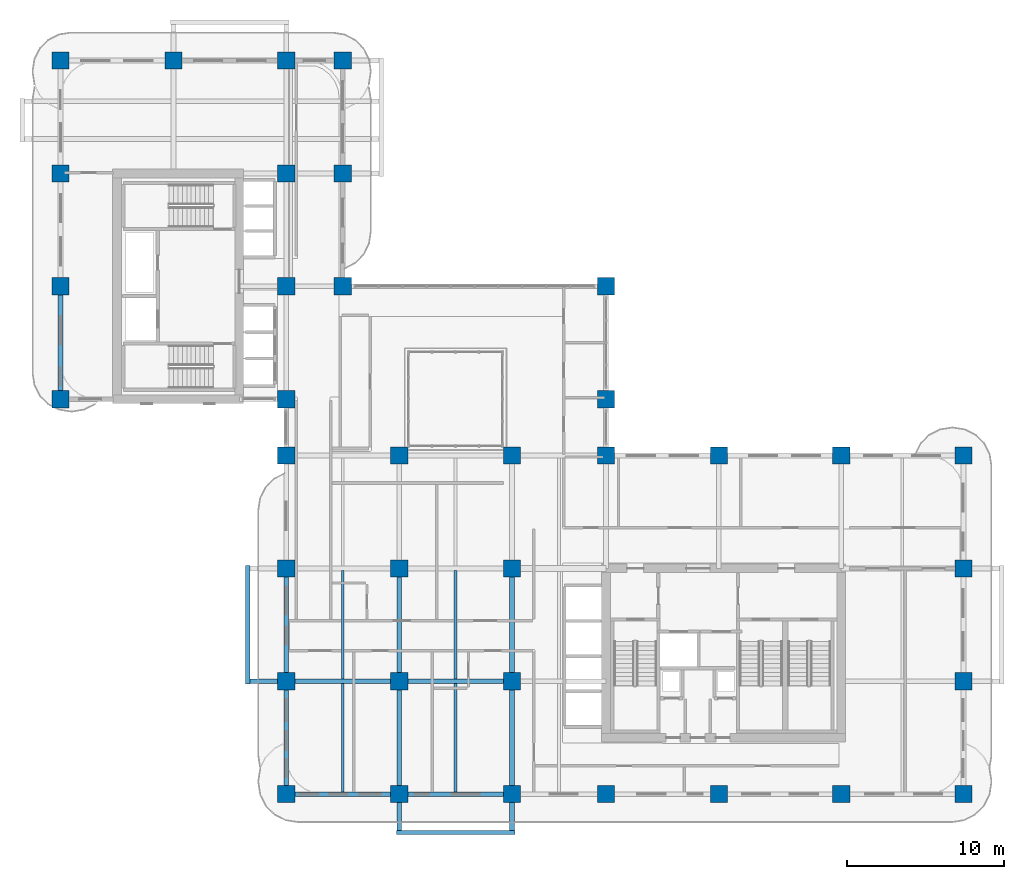
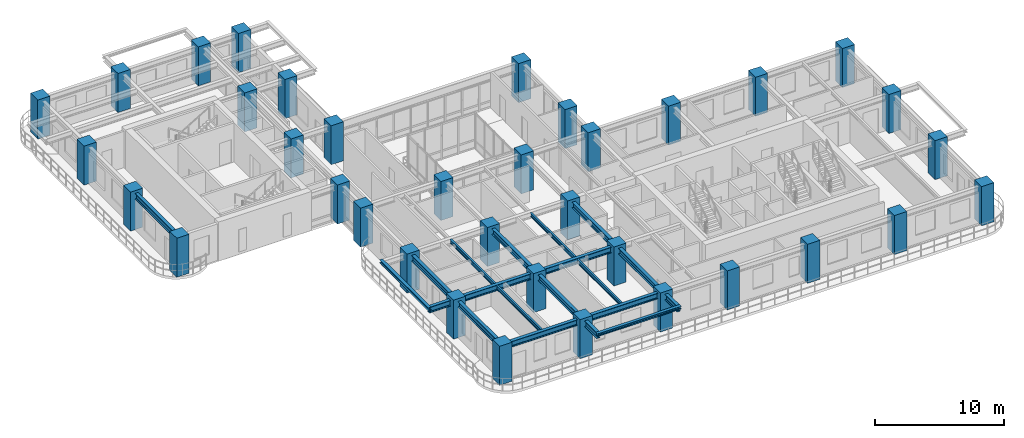
# One storey, part 1 of 22: 36 columns, 17 beams.
"""IFC4 building model written with IfcOpenShell, lengths in metres."""

from ifc_helpers import new_model, si_unit, derived_unit, direction, frame, origin, origin_2d, place, context, subcontext, project, spatial, rectangle, i_section, extrude, source, transform, mapped, material, material_profile, profile_set, type_object, type_shapes, element, save


model = new_model("IFC4")

# Units and contexts
model_context = context("Model", 3, precision=1e-05, world=origin(), true_north=direction((0.0, 1.0)))
body_context = subcontext(model_context, "Body", "Model", "MODEL_VIEW")
ifc_project = project(units=[si_unit("LENGTHUNIT", "METRE"), si_unit("AREAUNIT", "SQUARE_METRE"), si_unit("VOLUMEUNIT", "CUBIC_METRE"), si_unit("PLANEANGLEUNIT", "RADIAN"), si_unit("MASSUNIT", "GRAM", prefix="KILO"), si_unit("THERMODYNAMICTEMPERATUREUNIT", "KELVIN"), si_unit("POWERUNIT", "WATT"), derived_unit("THERMALTRANSMITTANCEUNIT", [(si_unit("POWERUNIT", "WATT"), 1), (si_unit("AREAUNIT", "SQUARE_METRE"), -1), (si_unit("THERMODYNAMICTEMPERATUREUNIT", "KELVIN"), -1)])], contexts=[model_context])

# Site, building, storey
site_placement = place(None, origin())
site = spatial("IfcSite", under=ifc_project, at=site_placement, CompositionType="ELEMENT")
building_placement = place(site_placement, origin())
building = spatial("IfcBuilding", under=site, at=building_placement, Name="Zahravan Archway Hotel and Residences", CompositionType="ELEMENT")
storey_placement = place(building_placement, frame((0.0, 0.0, 95.300048828125)))
storey = spatial("IfcBuildingStorey", under=building, at=storey_placement, Name="L23", CompositionType="ELEMENT", Elevation=95.300048828125)

# Columns
ifc_material_1 = material(Name="Concrete C70/85", Category="concrete")
ifc_material_profile_1 = material_profile(ifc_material_1, rectangle(XDim=1.10009765625, YDim=1.10009765625, at=origin_2d()), Name="RC 1100x1100", Category="concrete")
ifc_profile_set_1 = profile_set([ifc_material_profile_1], Name="Concrete C70/85")
column_type = type_object("IfcColumnType", Name="COL-RC-1100", PredefinedType="COLUMN", material=ifc_profile_set_1)
shared_shape_1 = source(origin(), body_context, "Body", "SweptSolid", [
    extrude(rectangle(XDim=1.10009765625, YDim=1.10009765625, at=origin_2d()), origin(), (0.0, 0.0, 1.0), 3.699951171875),
])
for number, where, z_axis, x_axis, name in (
    (1, (0.0, 25.199951171875, 0.0), (0.0, 0.0, 1.0), (1.0, 0.0, 0.0), "L23 Column 1-E"),
    (2, (0.0, 32.39990234375, 0.0), (0.0, 0.0, 1.0), (1.0, 0.0, 0.0), "L23 Column 1-F"),
    (3, (0.0, 39.60009765625, 0.0), (0.0, 0.0, 1.0), (1.0, 0.0, 0.0), "L23 Column 1-G"),
    (4, (0.0, 46.800048828125, 0.0), (0.0, 0.0, 1.0), (1.0, 0.0, 0.0), "L23 Column 1-H"),
    (5, (7.199951171875, 46.800048828125, 0.0), (0.0, 0.0, 1.0), (1.0, 0.0, 0.0), "L23 Column 2-H"),
    (6, (14.39990234375, 0.0, 0.0), (0.0, 0.0, 1.0), (1.0, 0.0, 0.0), "L23 Column 3-A"),
    (7, (14.39990234375, 7.199951171875, 0.0), (0.0, 0.0, 1.0), (1.0, 0.0, 0.0), "L23 Column 3-B"),
    (8, (14.39990234375, 14.39990234375, 0.0), (0.0, 0.0, 1.0), (1.0, 0.0, 0.0), "L23 Column 3-C"),
    (9, (14.39990234375, 21.60009765625, 0.0), (0.0, 0.0, 1.0), (1.0, 0.0, 0.0), "L23 Column 3-D"),
    (10, (14.39990234375, 25.199951171875, 0.0), (0.0, 0.0, 1.0), (1.0, 0.0, 0.0), "L23 Column 3-E"),
    (11, (14.39990234375, 32.39990234375, 0.0), (0.0, 0.0, 1.0), (1.0, 0.0, 0.0), "L23 Column 3-F"),
    (12, (14.39990234375, 39.60009765625, 0.0), (0.0, 0.0, 1.0), (1.0, 0.0, 0.0), "L23 Column 3-G"),
    (13, (14.39990234375, 46.800048828125, 0.0), (0.0, 0.0, 1.0), (1.0, 0.0, 0.0), "L23 Column 3-H"),
    (14, (21.60009765625, 0.0, 0.0), (0.0, 0.0, 1.0), (1.0, 0.0, 0.0), "L23 Column 4-A"),
    (15, (21.60009765625, 7.199951171875, 0.0), (0.0, 0.0, 1.0), (1.0, 0.0, 0.0), "L23 Column 4-B"),
    (16, (21.60009765625, 14.39990234375, 0.0), (0.0, 0.0, 1.0), (1.0, 0.0, 0.0), "L23 Column 4-C"),
    (17, (21.60009765625, 21.60009765625, 0.0), (0.0, 0.0, 1.0), (1.0, 0.0, 0.0), "L23 Column 4-D"),
    (18, (28.800048828125, 0.0, 0.0), (0.0, 0.0, 1.0), (1.0, 0.0, 0.0), "L23 Column 5-A"),
    (19, (28.800048828125, 7.199951171875, 0.0), (0.0, 0.0, 1.0), (1.0, 0.0, 0.0), "L23 Column 5-B"),
    (20, (28.800048828125, 14.39990234375, 0.0), (0.0, 0.0, 1.0), (1.0, 0.0, 0.0), "L23 Column 5-C"),
    (21, (28.800048828125, 21.60009765625, 0.0), (0.0, 0.0, 1.0), (1.0, 0.0, 0.0), "L23 Column 5-D"),
    (22, (34.800048828125, 0.0, 0.0), (0.0, 0.0, 1.0), (1.0, 0.0, 0.0), "L23 Column 6-A"),
    (23, (34.800048828125, 21.60009765625, 0.0), (0.0, 0.0, 1.0), (1.0, 0.0, 0.0), "L23 Column 6-D"),
    (24, (34.800048828125, 25.199951171875, 0.0), (0.0, 0.0, 1.0), (1.0, 0.0, 0.0), "L23 Column 6-E"),
    (25, (34.800048828125, 32.39990234375, 0.0), (0.0, 0.0, 1.0), (1.0, 0.0, 0.0), "L23 Column 6-F"),
    (26, (42.0, 0.0, 0.0), (0.0, 0.0, 1.0), (1.0, 0.0, 0.0), "L23 Column 7-A"),
    (27, (42.0, 21.60009765625, 0.0), (0.0, 0.0, 1.0), (1.0, 0.0, 0.0), "L23 Column 7-D"),
    (28, (49.800048828125, 0.0, 0.0), (0.0, 0.0, 1.0), (1.0, 0.0, 0.0), "L23 Column 8-A"),
    (29, (49.800048828125, 21.60009765625, 0.0), (0.0, 0.0, 1.0), (1.0, 0.0, 0.0), "L23 Column 8-D"),
    (30, (57.60009765625, 0.0, 0.0), (0.0, 0.0, 1.0), (1.0, 0.0, 0.0), "L23 Column 9-A"),
    (31, (57.60009765625, 7.199951171875, 0.0), (0.0, 0.0, 1.0), (1.0, 0.0, 0.0), "L23 Column 9-B"),
    (32, (57.60009765625, 14.39990234375, 0.0), (0.0, 0.0, 1.0), (1.0, 0.0, 0.0), "L23 Column 9-C"),
    (33, (57.60009765625, 21.60009765625, 0.0), (0.0, 0.0, 1.0), (1.0, 0.0, 0.0), "L23 Column 9-D"),
    (34, (18.0, 32.39990234375, 0.0), (0.0, 0.0, 1.0), (1.0, 0.0, 0.0), "L23 Column 3B-F"),
    (35, (18.0, 39.60009765625, 0.0), (0.0, 0.0, 1.0), (1.0, 0.0, 0.0), "L23 Column 3B-G"),
    (36, (18.0, 46.800048828125, 0.0), (0.0, 0.0, 1.0), (1.0, 0.0, 0.0), "L23 Column 3B-H"),
):
    element("IfcColumn", number, at=place(storey_placement, frame(where, z_axis=z_axis, x_axis=x_axis)), inside=storey, type_object=column_type, Name=name, PredefinedType="COLUMN", context=body_context, shape_type="MappedRepresentation", body=[
        mapped(shared_shape_1, transform((0.0, 0.0, 0.0), scale=1.0)),
    ])

# Beams
ifc_material_2 = material(Name="Structural Steel S355JR", Category="steel")
ifc_material_profile_2 = material_profile(ifc_material_2, i_section(OverallWidth=0.280029296875, OverallDepth=0.280029296875, WebThickness=0.010498046875, FlangeThickness=0.01806640625, FilletRadius=0.02392578125, at=origin_2d()), Name="HEB 280", Category="steel")
ifc_profile_set_2 = profile_set([ifc_material_profile_2], Name="Structural Steel S355JR")
beam_type_1 = type_object("IfcBeamType", Name="BM-SPN-HEB280", PredefinedType="SPANDREL", material=ifc_profile_set_2)
shared_shape_2 = source(origin(), body_context, "Body", "SweptSolid", [
    extrude(i_section(OverallWidth=0.280029296875, OverallDepth=0.280029296875, WebThickness=0.010498046875, FlangeThickness=0.01806640625, FilletRadius=0.02392578125, at=origin_2d()), origin(), (0.0, 0.0, 1.0), 7.56005859375),
])
type_shapes(beam_type_1, [shared_shape_2])
for number, where, z_axis, x_axis, name in (
    (37, (11.949951171875, 7.02001953125, 3.31005859375), (0.0, 1.0, 0.0), (-1.0, 0.0, 0.0), "L24 WA Balcony Edge Spandrel"),
    (38, (21.419921875, -2.449951171875, 3.31005859375), (1.0, 0.0, 0.0), (0.0, 1.0, 0.0), "L24 SA Balcony Edge Spandrel"),
):
    element("IfcBeam", number, at=place(storey_placement, frame(where, z_axis=z_axis, x_axis=x_axis)), inside=storey, type_object=beam_type_1, Name=name, PredefinedType="SPANDREL", context=body_context, shape_type="MappedRepresentation", body=[
        mapped(shared_shape_2, transform((0.0, 0.0, 0.0), scale=1.0)),
    ])
ifc_material_profile_3 = material_profile(ifc_material_2, i_section(OverallWidth=0.300048828125, OverallDepth=0.550048828125, WebThickness=0.014892578125, FlangeThickness=0.029052734375, FilletRadius=0.027099609375, at=origin_2d()), Name="HEB 550", Category="steel")
ifc_profile_set_3 = profile_set([ifc_material_profile_3], Name="Structural Steel S355JR")
beam_type_2 = type_object("IfcBeamType", Name="BM-PRI-HEB550", PredefinedType="BEAM", material=ifc_profile_set_3)
shared_shape_3 = source(origin(), body_context, "Body", "SweptSolid", [
    extrude(i_section(OverallWidth=0.300048828125, OverallDepth=0.550048828125, WebThickness=0.014892578125, FlangeThickness=0.029052734375, FilletRadius=0.027099609375, at=origin_2d()), origin(), (0.0, 0.0, 1.0), 7.2001953125),
])
type_shapes(beam_type_2, [shared_shape_3])
beam_1_placement = place(storey_placement, frame((14.39990234375, 0.0, 3.175048828125), z_axis=(1.0, 0.0, 0.0), x_axis=(0.0, 1.0, 0.0)))
element("IfcBeam", 39, at=beam_1_placement, inside=storey, type_object=beam_type_2, Name="L23 Primary Girder EW-01", PredefinedType="BEAM", context=body_context, shape_type="MappedRepresentation", body=[
    mapped(shared_shape_3, transform((0.0, 0.0, 0.0), scale=1.0)),
])
shared_shape_4 = source(origin(), body_context, "Body", "SweptSolid", [
    extrude(i_section(OverallWidth=0.300048828125, OverallDepth=0.550048828125, WebThickness=0.014892578125, FlangeThickness=0.029052734375, FilletRadius=0.027099609375, at=origin_2d()), origin(), (0.0, 0.0, 1.0), 7.199951171875),
])
for number, where, z_axis, x_axis, name in (
    (40, (21.60009765625, 0.0, 3.175048828125), (1.0, 0.0, 0.0), (0.0, 1.0, 0.0), "L23 Primary Girder EW-02"),
    (41, (21.60009765625, 7.199951171875, 3.175048828125), (1.0, 0.0, 0.0), (0.0, 1.0, 0.0), "L23 Primary Girder EW-08"),
    (42, (0.0, 25.199951171875, 3.175048828125), (0.0, 1.0, 0.0), (-1.0, 0.0, 0.0), "L23 Primary Girder NS-28"),
    (43, (14.39990234375, 0.0, 3.175048828125), (0.0, 1.0, 0.0), (-1.0, 0.0, 0.0), "L23 Primary Girder NS-32"),
    (44, (14.39990234375, 7.199951171875, 3.175048828125), (0.0, 1.0, 0.0), (-1.0, 0.0, 0.0), "L23 Primary Girder NS-33"),
    (45, (21.60009765625, 7.199951171875, 3.175048828125), (0.0, 1.0, 0.0), (-1.0, 0.0, 0.0), "L23 Primary Girder NS-40"),
    (46, (28.800048828125, 7.199951171875, 3.175048828125), (0.0, 1.0, 0.0), (-1.0, 0.0, 0.0), "L23 Primary Girder NS-43"),
):
    element("IfcBeam", number, at=place(storey_placement, frame(where, z_axis=z_axis, x_axis=x_axis)), inside=storey, type_object=beam_type_2, Name=name, PredefinedType="BEAM", context=body_context, shape_type="MappedRepresentation", body=[
        mapped(shared_shape_4, transform((0.0, 0.0, 0.0), scale=1.0)),
    ])
shared_shape_5 = source(origin(), body_context, "Body", "SweptSolid", [
    extrude(i_section(OverallWidth=0.300048828125, OverallDepth=0.550048828125, WebThickness=0.014892578125, FlangeThickness=0.029052734375, FilletRadius=0.027099609375, at=origin_2d()), origin(), (0.0, 0.0, 1.0), 9.650146484375),
])
beam_2_placement = place(storey_placement, frame((11.949951171875, 7.199951171875, 3.175048828125), z_axis=(1.0, 0.0, 0.0), x_axis=(0.0, 1.0, 0.0)))
element("IfcBeam", 47, at=beam_2_placement, inside=storey, type_object=beam_type_2, Name="L23 Primary Girder EW-07", PredefinedType="BEAM", context=body_context, shape_type="MappedRepresentation", body=[
    mapped(shared_shape_5, transform((0.0, 0.0, 0.0), scale=1.0)),
])
shared_shape_6 = source(origin(), body_context, "Body", "SweptSolid", [
    extrude(i_section(OverallWidth=0.300048828125, OverallDepth=0.550048828125, WebThickness=0.014892578125, FlangeThickness=0.029052734375, FilletRadius=0.027099609375, at=origin_2d()), origin(), (0.0, 0.0, 1.0), 9.64990234375),
])
for number, where, z_axis, x_axis, name in (
    (48, (21.60009765625, -2.449951171875, 3.175048828125), (0.0, 1.0, 0.0), (-1.0, 0.0, 0.0), "L23 Primary Girder NS-39"),
    (49, (28.800048828125, -2.449951171875, 3.175048828125), (0.0, 1.0, 0.0), (-1.0, 0.0, 0.0), "L23 Primary Girder NS-42"),
):
    element("IfcBeam", number, at=place(storey_placement, frame(where, z_axis=z_axis, x_axis=x_axis)), inside=storey, type_object=beam_type_2, Name=name, PredefinedType="BEAM", context=body_context, shape_type="MappedRepresentation", body=[
        mapped(shared_shape_6, transform((0.0, 0.0, 0.0), scale=1.0)),
    ])
ifc_material_profile_4 = material_profile(ifc_material_2, i_section(OverallWidth=0.169921875, OverallDepth=0.360107421875, WebThickness=0.008056640625, FlangeThickness=0.0126953125, FilletRadius=0.01806640625, at=origin_2d()), Name="IPE 360", Category="steel")
ifc_profile_set_4 = profile_set([ifc_material_profile_4], Name="Structural Steel S355JR")
beam_type_3 = type_object("IfcBeamType", Name="BM-JST-IPE360", PredefinedType="JOIST", material=ifc_profile_set_4)
shared_shape_7 = source(origin(), body_context, "Body", "SweptSolid", [
    extrude(i_section(OverallWidth=0.169921875, OverallDepth=0.360107421875, WebThickness=0.008056640625, FlangeThickness=0.0126953125, FilletRadius=0.01806640625, at=origin_2d()), origin(), (0.0, 0.0, 1.0), 6.904052734375),
])
type_shapes(beam_type_3, [shared_shape_7])
for number, where, z_axis, x_axis, name in (
    (50, (18.0, 0.14794921875, 3.27001953125), (0.0, 1.0, 0.0), (-1.0, 0.0, 0.0), "L23 Composite Floor Joist 01"),
    (51, (25.199951171875, 0.14794921875, 3.27001953125), (0.0, 1.0, 0.0), (-1.0, 0.0, 0.0), "L23 Composite Floor Joist 02"),
    (52, (18.0, 7.347900390625, 3.27001953125), (0.0, 1.0, 0.0), (-1.0, 0.0, 0.0), "L23 Composite Floor Joist 05"),
    (53, (25.199951171875, 7.347900390625, 3.27001953125), (0.0, 1.0, 0.0), (-1.0, 0.0, 0.0), "L23 Composite Floor Joist 06"),
):
    element("IfcBeam", number, at=place(storey_placement, frame(where, z_axis=z_axis, x_axis=x_axis)), inside=storey, type_object=beam_type_3, Name=name, PredefinedType="JOIST", context=body_context, shape_type="MappedRepresentation", body=[
        mapped(shared_shape_7, transform((0.0, 0.0, 0.0), scale=1.0)),
    ])

save(model, "model.ifc")
